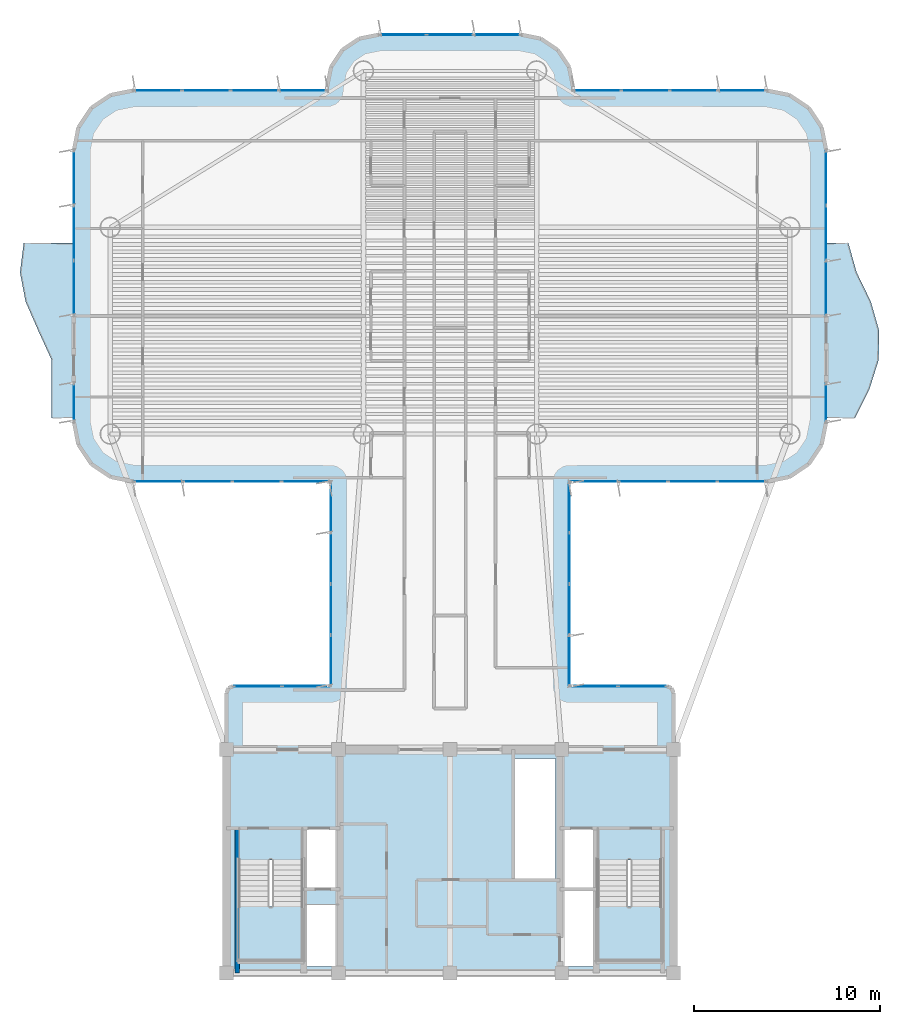
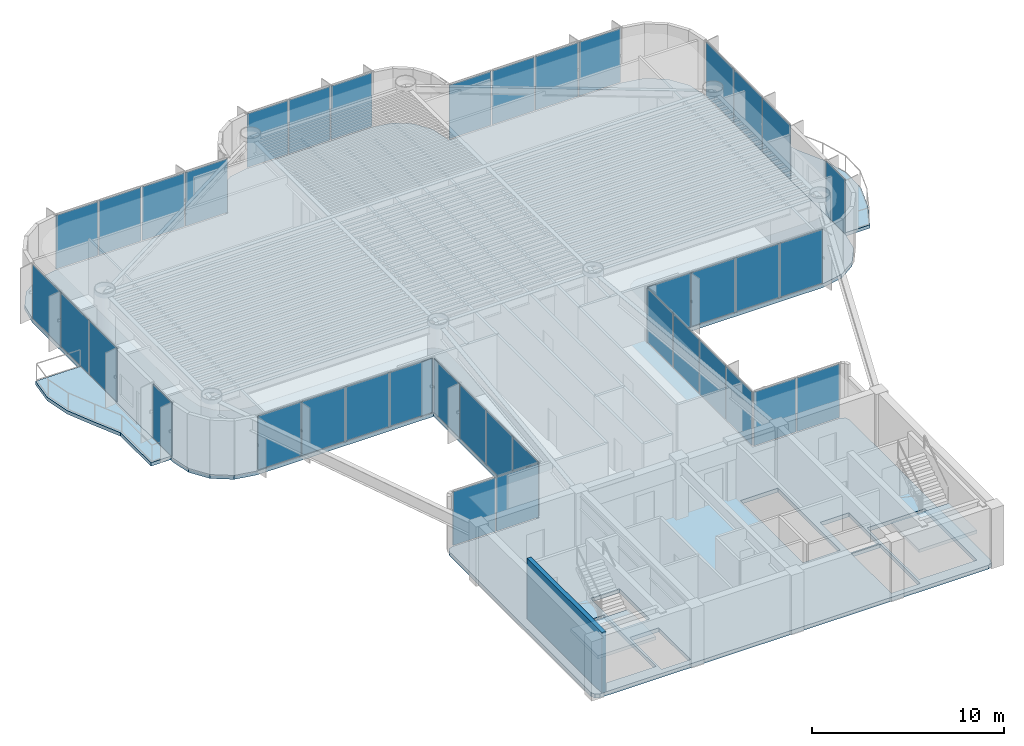
# One storey, part 8 of 15: 39 plates, 5 slabs, 1 wall, 15 elements without a shape of their own.
"""IFC4 building model written with IfcOpenShell, lengths in metres."""

from ifc_helpers import new_model, si_unit, direction, frame, frame_2d, origin, origin_2d, place, context, subcontext, project, spatial, polyline, rectangle, outline, extrude, source, transform, mapped, material, layer, layer_set, type_object, element, aggregate, save


model = new_model("IFC4")

# Units and contexts
model_context = context("Model", 3, precision=1e-05, world=origin(), true_north=direction((0.0, 1.0)))
body_context = subcontext(model_context, "Body", "Model", "MODEL_VIEW")
ifc_project = project(units=[si_unit("LENGTHUNIT", "METRE"), si_unit("AREAUNIT", "SQUARE_METRE"), si_unit("VOLUMEUNIT", "CUBIC_METRE"), si_unit("PLANEANGLEUNIT", "RADIAN"), si_unit("MASSUNIT", "GRAM", prefix="KILO")], contexts=[model_context])

# Site, building, storey
site_placement = place(None, origin())
site = spatial("IfcSite", under=ifc_project, at=site_placement, CompositionType="ELEMENT")
building_placement = place(site_placement, origin())
building = spatial("IfcBuilding", under=site, at=building_placement, Name="Brelvock Crest Care Tower", CompositionType="ELEMENT")
storey_placement = place(building_placement, frame((0.0, 0.0, 163.97998046875)))
storey = spatial("IfcBuildingStorey", under=building, at=storey_placement, Name="L41", CompositionType="ELEMENT", Elevation=163.97998046875)

# Slabs
ifc_material_1 = material(Name="Concrete N50 (50 MPa)", Category="concrete")
ifc_layer_1 = layer(ifc_material_1, 0.22998046875, Name="SLB-FL4")
ifc_layer_set_1 = layer_set([ifc_layer_1], Name="Concrete N50 (50 MPa)")
slab_type_1 = type_object("IfcSlabType", Name="SLB-FL4", PredefinedType="FLOOR", material=ifc_layer_set_1)
slab_1_placement = place(storey_placement, frame((0.0, 0.0, -0.25)))
element("IfcSlab", 1, at=slab_1_placement, inside=storey, type_object=slab_type_1, Name="L41 Main Structural Slab", PredefinedType="FLOOR", context=body_context, shape_type="SweptSolid", body=[
    extrude(outline(polyline([(47.64990234375, 21.39990234375), (42.39990234375, 21.39990234375), (42.39990234375, 32.39990234375), (53.0, 32.39990234375), (54.224609375, 32.6435546875), (55.2626953125, 33.33740234375), (55.956298828125, 34.37548828125), (56.199951171875, 35.60009765625), (56.199951171875, 50.199951171875), (55.956298828125, 51.424560546875), (55.2626953125, 52.462646484375), (54.224609375, 53.156494140625), (53.0, 53.39990234375), (42.60009765625, 53.39990234375), (42.60009765625, 53.60009765625), (42.386962890625, 54.67138671875), (41.77978515625, 55.579833984375), (40.87158203125, 56.18701171875), (39.800048828125, 56.39990234375), (32.199951171875, 56.39990234375), (31.12841796875, 56.18701171875), (30.22021484375, 55.579833984375), (29.613037109375, 54.67138671875), (29.39990234375, 53.60009765625), (29.39990234375, 53.39990234375), (19.0, 53.39990234375), (17.775390625, 53.156494140625), (16.7373046875, 52.462646484375), (16.043701171875, 51.424560546875), (15.800048828125, 50.199951171875), (15.800048828125, 35.60009765625), (16.043701171875, 34.37548828125), (16.7373046875, 33.33740234375), (17.775390625, 32.6435546875), (19.0, 32.39990234375), (29.60009765625, 32.39990234375), (29.60009765625, 21.39990234375), (24.35009765625, 21.39990234375), (24.1025390625, 21.297607421875), (24.0, 21.050048828125), (24.0, 6.35009765625), (24.1025390625, 6.1025390625), (24.35009765625, 6.0), (47.64990234375, 6.0), (47.8974609375, 6.1025390625), (48.0, 6.35009765625), (48.0, 21.050048828125), (47.8974609375, 21.297607421875), (47.64990234375, 21.39990234375)]), holes=[polyline([(28.239990234375, 10.580078125), (29.97998046875, 10.580078125), (29.97998046875, 13.739990234375), (28.239990234375, 13.739990234375), (28.239990234375, 10.580078125)]), polyline([(42.02001953125, 10.580078125), (43.760009765625, 10.580078125), (43.760009765625, 13.739990234375), (42.02001953125, 13.739990234375), (42.02001953125, 10.580078125)]), polyline([(28.239990234375, 6.340087890625), (29.97998046875, 6.340087890625), (29.97998046875, 9.64990234375), (28.239990234375, 9.64990234375), (28.239990234375, 6.340087890625)]), polyline([(24.6298828125, 12.080078125), (24.6298828125, 6.699951171875), (28.110107421875, 6.699951171875), (28.110107421875, 12.080078125), (24.6298828125, 12.080078125)]), polyline([(43.889892578125, 12.080078125), (43.889892578125, 6.699951171875), (47.3701171875, 6.699951171875), (47.3701171875, 12.080078125), (43.889892578125, 12.080078125)]), polyline([(42.02001953125, 6.340087890625), (43.760009765625, 6.340087890625), (43.760009765625, 10.5), (42.02001953125, 10.5), (42.02001953125, 6.340087890625)]), polyline([(39.429931640625, 11.030029296875), (41.669921875, 11.030029296875), (41.669921875, 17.52001953125), (39.429931640625, 17.52001953125), (39.429931640625, 11.030029296875)])]), origin(), (0.0, 0.0, 1.0), 0.25),
])
ifc_layer_2 = layer(ifc_material_1, 0.219970703125, Name="SLB-WB1")
ifc_layer_set_2 = layer_set([ifc_layer_2], Name="Concrete N50 (50 MPa)")
slab_type_2 = type_object("IfcSlabType", Name="SLB-WB1", PredefinedType="FLOOR", material=ifc_layer_set_2)
slab_2_placement = place(storey_placement, frame((0.0, 0.0, -0.219970703125)))
element("IfcSlab", 2, at=slab_2_placement, inside=storey, type_object=slab_type_2, Name="L41 W Sinusoidal Wave Balcony Slab", PredefinedType="FLOOR", context=body_context, shape_type="SweptSolid", body=[
    extrude(outline(polyline([(15.800048828125, 45.199951171875), (13.098876953125, 45.199951171875), (12.90283203125, 43.63330078125), (13.200927734375, 42.066650390625), (13.883544921875, 40.5), (14.60009765625, 38.933349609375), (14.60009765625, 37.36669921875), (14.60009765625, 35.800048828125), (15.800048828125, 35.800048828125), (15.800048828125, 45.199951171875)])), origin(), (0.0, 0.0, 1.0), 0.219970703125),
])
slab_3_placement = place(storey_placement, frame((0.0, 0.0, -0.219970703125)))
element("IfcSlab", 3, at=slab_3_placement, inside=storey, type_object=slab_type_2, Name="L41 E Sinusoidal Wave Balcony Slab", PredefinedType="FLOOR", context=body_context, shape_type="SweptSolid", body=[
    extrude(outline(polyline([(56.199951171875, 35.800048828125), (57.75, 35.800048828125), (58.529052734375, 37.36669921875), (59.022705078125, 38.933349609375), (59.04931640625, 40.5), (58.599609375, 42.066650390625), (57.83837890625, 43.63330078125), (57.39990234375, 45.199951171875), (56.199951171875, 45.199951171875), (56.199951171875, 35.800048828125)])), origin(), (0.0, 0.0, 1.0), 0.219970703125),
])

# Stair, slab
ifc_material_2 = material(Name="Concrete N40 (40 MPa)", Category="concrete")
stair_type = type_object("IfcStairType", Name="ST-CORE1", PredefinedType="HALF_TURN_STAIR", material=ifc_material_2)
stair_1_placement = place(storey_placement, origin())
stair_1 = element("IfcStair", 4, at=stair_1_placement, inside=storey, type_object=stair_type, Name="L41 Fire-Isolated Core Stair ST-1", PredefinedType="HALF_TURN_STAIR")
ifc_layer_3 = layer(ifc_material_2, 0.199951171875, Name="STL-1")
ifc_layer_set_3 = layer_set([ifc_layer_3], Name="Concrete N40 (40 MPa)")
slab_type_3 = type_object("IfcSlabType", Name="STL-1", PredefinedType="LANDING", material=ifc_layer_set_3)
slab_4_placement = place(storey_placement, frame((0.0, 0.0, 1.68994140625)))
slab_4 = element("IfcSlab", 5, at=slab_4_placement, type_object=slab_type_3, Name="ST-1 landing 1", PredefinedType="LANDING", context=body_context, shape_type="SweptSolid", body=[
    extrude(outline(polyline([(24.6298828125, 9.56005859375), (24.6298828125, 6.699951171875), (28.110107421875, 6.699951171875), (28.110107421875, 9.56005859375), (24.6298828125, 9.56005859375)])), origin(), (0.0, 0.0, 1.0), 0.2001953125),
])
aggregate(stair_1, [slab_4])

stair_2_placement = place(storey_placement, origin())
stair_2 = element("IfcStair", 6, at=stair_2_placement, inside=storey, type_object=stair_type, Name="L41 Fire-Isolated Core Stair ST-2", PredefinedType="HALF_TURN_STAIR")
slab_5_placement = place(storey_placement, frame((0.0, 0.0, 1.68994140625)))
slab_5 = element("IfcSlab", 7, at=slab_5_placement, type_object=slab_type_3, Name="ST-2 landing 1", PredefinedType="LANDING", context=body_context, shape_type="SweptSolid", body=[
    extrude(outline(polyline([(43.889892578125, 9.56005859375), (43.889892578125, 6.699951171875), (47.3701171875, 6.699951171875), (47.3701171875, 9.56005859375), (43.889892578125, 9.56005859375)])), origin(), (0.0, 0.0, 1.0), 0.2001953125),
])
aggregate(stair_2, [slab_5])

# Curtain wall, plates
ifc_material_3 = material(Name="Dark Glass Double Glazed Low-E", Category="glass")
ifc_layer_4 = layer(ifc_material_3, 0.22509765625, Name="CWS-4")
ifc_layer_set_4 = layer_set([ifc_layer_4], Name="Dark Glass Double Glazed Low-E")
curtain_wall_type = type_object("IfcCurtainWallType", Name="CWS-4", PredefinedType="NOTDEFINED", material=ifc_layer_set_4)
curtain_wall_1_placement = place(storey_placement, origin())
curtain_wall_1 = element("IfcCurtainWall", 8, at=curtain_wall_1_placement, inside=storey, type_object=curtain_wall_type, Name="L41 Curtain Wall E10", PredefinedType="NOTDEFINED")
ifc_layer_5 = layer(ifc_material_3, 0.0380859375, Name="CWP-V2")
ifc_layer_set_5 = layer_set([ifc_layer_5], Name="Dark Glass Double Glazed Low-E")
plate_type = type_object("IfcPlateType", Name="CWP-V2", PredefinedType="CURTAIN_PANEL", material=ifc_layer_set_5)
shared_shape_1 = source(origin(), body_context, "Body", "SweptSolid", [
    extrude(rectangle(XDim=2.534912109375, YDim=0.035888671875, at=origin_2d()), origin(), (0.0, 0.0, 1.0), 3.409912109375),
])
plate_1_placement = place(storey_placement, frame((25.677490234375, 21.39990234375, 0.06005859375), z_axis=(0.0, 0.0, 1.0), x_axis=(1.0, 0.0, 0.0)))
plate_1 = element("IfcPlate", 9, at=plate_1_placement, type_object=plate_type, Name="CW-4 panel 1.1", PredefinedType="CURTAIN_PANEL", context=body_context, shape_type="MappedRepresentation", body=[
    mapped(shared_shape_1, transform((0.0, 0.0, 0.0), x_axis=(1.0, 0.0, 0.0), y_axis=(0.0, 1.0, 0.0), z_axis=(0.0, 0.0, 1.0), scale=1.0)),
])
plate_2_placement = place(storey_placement, frame((28.2724609375, 21.39990234375, 0.06005859375), z_axis=(0.0, 0.0, 1.0), x_axis=(1.0, 0.0, 0.0)))
plate_2 = element("IfcPlate", 10, at=plate_2_placement, type_object=plate_type, Name="CW-4 panel 2.1", PredefinedType="CURTAIN_PANEL", context=body_context, shape_type="MappedRepresentation", body=[
    mapped(shared_shape_1, transform((0.0, 0.0, 0.0), x_axis=(1.0, 0.0, 0.0), y_axis=(0.0, 1.0, 0.0), z_axis=(0.0, 0.0, 1.0), scale=1.0)),
])
aggregate(curtain_wall_1, [plate_1, plate_2])

curtain_wall_2_placement = place(storey_placement, origin())
curtain_wall_2 = element("IfcCurtainWall", 11, at=curtain_wall_2_placement, inside=storey, type_object=curtain_wall_type, Name="L41 Curtain Wall E46", PredefinedType="NOTDEFINED")
plate_3_placement = place(storey_placement, frame((43.7275390625, 21.39990234375, 0.06005859375), z_axis=(0.0, 0.0, 1.0), x_axis=(1.0, 0.0, 0.0)))
plate_3 = element("IfcPlate", 12, at=plate_3_placement, type_object=plate_type, Name="CW-4 panel 1.1", PredefinedType="CURTAIN_PANEL", context=body_context, shape_type="MappedRepresentation", body=[
    mapped(shared_shape_1, transform((0.0, 0.0, 0.0), x_axis=(1.0, 0.0, 0.0), y_axis=(0.0, 1.0, 0.0), z_axis=(0.0, 0.0, 1.0), scale=1.0)),
])
plate_4_placement = place(storey_placement, frame((46.322509765625, 21.39990234375, 0.06005859375), z_axis=(0.0, 0.0, 1.0), x_axis=(1.0, 0.0, 0.0)))
plate_4 = element("IfcPlate", 13, at=plate_4_placement, type_object=plate_type, Name="CW-4 panel 2.1", PredefinedType="CURTAIN_PANEL", context=body_context, shape_type="MappedRepresentation", body=[
    mapped(shared_shape_1, transform((0.0, 0.0, 0.0), x_axis=(1.0, 0.0, 0.0), y_axis=(0.0, 1.0, 0.0), z_axis=(0.0, 0.0, 1.0), scale=1.0)),
])
aggregate(curtain_wall_2, [plate_3, plate_4])

curtain_wall_3_placement = place(storey_placement, origin())
curtain_wall_3 = element("IfcCurtainWall", 14, at=curtain_wall_3_placement, inside=storey, type_object=curtain_wall_type, Name="L41 Curtain Wall E11", PredefinedType="NOTDEFINED")
shared_shape_2 = source(origin(), body_context, "Body", "SweptSolid", [
    extrude(rectangle(XDim=2.659912109375, YDim=0.035888671875, at=origin_2d()), origin(), (0.0, 0.0, 1.0), 3.409912109375),
])
plate_5_placement = place(storey_placement, frame((29.60009765625, 22.7900390625, 0.06005859375), z_axis=(0.0, 0.0, 1.0), x_axis=(0.0, 1.0, 0.0)))
plate_5 = element("IfcPlate", 15, at=plate_5_placement, type_object=plate_type, Name="CW-4 panel 1.1", PredefinedType="CURTAIN_PANEL", context=body_context, shape_type="MappedRepresentation", body=[
    mapped(shared_shape_2, transform((0.0, 0.0, 0.0), x_axis=(1.0, 0.0, 0.0), y_axis=(0.0, 1.0, 0.0), z_axis=(0.0, 0.0, 1.0), scale=1.0)),
])
plate_6_placement = place(storey_placement, frame((29.60009765625, 31.010009765625, 0.06005859375), z_axis=(0.0, 0.0, 1.0), x_axis=(0.0, 1.0, 0.0)))
plate_6 = element("IfcPlate", 16, at=plate_6_placement, type_object=plate_type, Name="CW-4 panel 4.1", PredefinedType="CURTAIN_PANEL", context=body_context, shape_type="MappedRepresentation", body=[
    mapped(shared_shape_2, transform((0.0, 0.0, 0.0), x_axis=(1.0, 0.0, 0.0), y_axis=(0.0, 1.0, 0.0), z_axis=(0.0, 0.0, 1.0), scale=1.0)),
])

curtain_wall_4_placement = place(storey_placement, origin())
curtain_wall_4 = element("IfcCurtainWall", 17, at=curtain_wall_4_placement, inside=storey, type_object=curtain_wall_type, Name="L41 Curtain Wall E45", PredefinedType="NOTDEFINED")
plate_7_placement = place(storey_placement, frame((42.39990234375, 31.010009765625, 0.06005859375), z_axis=(0.0, 0.0, 1.0), x_axis=(0.0, -1.0, 0.0)))
plate_7 = element("IfcPlate", 18, at=plate_7_placement, type_object=plate_type, Name="CW-4 panel 1.1", PredefinedType="CURTAIN_PANEL", context=body_context, shape_type="MappedRepresentation", body=[
    mapped(shared_shape_2, transform((0.0, 0.0, 0.0), x_axis=(1.0, 0.0, 0.0), y_axis=(0.0, 1.0, 0.0), z_axis=(0.0, 0.0, 1.0), scale=1.0)),
])
plate_8_placement = place(storey_placement, frame((42.39990234375, 22.7900390625, 0.06005859375), z_axis=(0.0, 0.0, 1.0), x_axis=(0.0, -1.0, 0.0)))
plate_8 = element("IfcPlate", 19, at=plate_8_placement, type_object=plate_type, Name="CW-4 panel 4.1", PredefinedType="CURTAIN_PANEL", context=body_context, shape_type="MappedRepresentation", body=[
    mapped(shared_shape_2, transform((0.0, 0.0, 0.0), x_axis=(1.0, 0.0, 0.0), y_axis=(0.0, 1.0, 0.0), z_axis=(0.0, 0.0, 1.0), scale=1.0)),
])

# Plate
shared_shape_3 = source(origin(), body_context, "Body", "SweptSolid", [
    extrude(rectangle(XDim=2.68994140625, YDim=0.035888671875, at=origin_2d()), origin(), (0.0, 0.0, 1.0), 3.409912109375),
])
plate_9_placement = place(storey_placement, frame((29.60009765625, 25.52490234375, 0.06005859375), z_axis=(0.0, 0.0, 1.0), x_axis=(0.0, 1.0, 0.0)))
plate_9 = element("IfcPlate", 20, at=plate_9_placement, type_object=plate_type, Name="CW-4 panel 2.1", PredefinedType="CURTAIN_PANEL", context=body_context, shape_type="MappedRepresentation", body=[
    mapped(shared_shape_3, transform((0.0, 0.0, 0.0), x_axis=(1.0, 0.0, 0.0), y_axis=(0.0, 1.0, 0.0), z_axis=(0.0, 0.0, 1.0), scale=1.0)),
])

plate_10_placement = place(storey_placement, frame((29.60009765625, 28.27490234375, 0.06005859375), z_axis=(0.0, 0.0, 1.0), x_axis=(0.0, 1.0, 0.0)))
plate_10 = element("IfcPlate", 21, at=plate_10_placement, type_object=plate_type, Name="CW-4 panel 3.1", PredefinedType="CURTAIN_PANEL", context=body_context, shape_type="MappedRepresentation", body=[
    mapped(shared_shape_3, transform((0.0, 0.0, 0.0), x_axis=(1.0, 0.0, 0.0), y_axis=(0.0, 1.0, 0.0), z_axis=(0.0, 0.0, 1.0), scale=1.0)),
])

aggregate(curtain_wall_3, [plate_5, plate_9, plate_10, plate_6])

plate_11_placement = place(storey_placement, frame((42.39990234375, 28.27490234375, 0.06005859375), z_axis=(0.0, 0.0, 1.0), x_axis=(0.0, -1.0, 0.0)))
plate_11 = element("IfcPlate", 22, at=plate_11_placement, type_object=plate_type, Name="CW-4 panel 2.1", PredefinedType="CURTAIN_PANEL", context=body_context, shape_type="MappedRepresentation", body=[
    mapped(shared_shape_3, transform((0.0, 0.0, 0.0), x_axis=(1.0, 0.0, 0.0), y_axis=(0.0, 1.0, 0.0), z_axis=(0.0, 0.0, 1.0), scale=1.0)),
])

plate_12_placement = place(storey_placement, frame((42.39990234375, 25.52490234375, 0.06005859375), z_axis=(0.0, 0.0, 1.0), x_axis=(0.0, -1.0, 0.0)))
plate_12 = element("IfcPlate", 23, at=plate_12_placement, type_object=plate_type, Name="CW-4 panel 3.1", PredefinedType="CURTAIN_PANEL", context=body_context, shape_type="MappedRepresentation", body=[
    mapped(shared_shape_3, transform((0.0, 0.0, 0.0), x_axis=(1.0, 0.0, 0.0), y_axis=(0.0, 1.0, 0.0), z_axis=(0.0, 0.0, 1.0), scale=1.0)),
])

aggregate(curtain_wall_4, [plate_7, plate_11, plate_12, plate_8])

# Curtain wall, plates
curtain_wall_5_placement = place(storey_placement, origin())
curtain_wall_5 = element("IfcCurtainWall", 24, at=curtain_wall_5_placement, inside=storey, type_object=curtain_wall_type, Name="L41 Curtain Wall E12", PredefinedType="NOTDEFINED")
shared_shape_4 = source(origin(), body_context, "Body", "SweptSolid", [
    extrude(rectangle(XDim=2.56005859375, YDim=0.035888671875, at=origin_2d()), origin(), (0.0, 0.0, 1.0), 3.409912109375),
])
plate_13_placement = place(storey_placement, frame((28.260009765625, 32.39990234375, 0.06005859375), z_axis=(0.0, 0.0, 1.0), x_axis=(-1.0, 0.0, 0.0)))
plate_13 = element("IfcPlate", 25, at=plate_13_placement, type_object=plate_type, Name="CW-4 panel 1.1", PredefinedType="CURTAIN_PANEL", context=body_context, shape_type="MappedRepresentation", body=[
    mapped(shared_shape_4, transform((0.0, 0.0, 0.0), x_axis=(1.0, 0.0, 0.0), y_axis=(0.0, 1.0, 0.0), z_axis=(0.0, 0.0, 1.0), scale=1.0)),
])
plate_14_placement = place(storey_placement, frame((20.340087890625, 32.39990234375, 0.06005859375), z_axis=(0.0, 0.0, 1.0), x_axis=(-1.0, 0.0, 0.0)))
plate_14 = element("IfcPlate", 26, at=plate_14_placement, type_object=plate_type, Name="CW-4 panel 4.1", PredefinedType="CURTAIN_PANEL", context=body_context, shape_type="MappedRepresentation", body=[
    mapped(shared_shape_4, transform((0.0, 0.0, 0.0), x_axis=(1.0, 0.0, 0.0), y_axis=(0.0, 1.0, 0.0), z_axis=(0.0, 0.0, 1.0), scale=1.0)),
])

curtain_wall_6_placement = place(storey_placement, origin())
curtain_wall_6 = element("IfcCurtainWall", 27, at=curtain_wall_6_placement, inside=storey, type_object=curtain_wall_type, Name="L41 Curtain Wall E44", PredefinedType="NOTDEFINED")
plate_15_placement = place(storey_placement, frame((51.659912109375, 32.39990234375, 0.06005859375), z_axis=(0.0, 0.0, 1.0), x_axis=(-1.0, 0.0, 0.0)))
plate_15 = element("IfcPlate", 28, at=plate_15_placement, type_object=plate_type, Name="CW-4 panel 1.1", PredefinedType="CURTAIN_PANEL", context=body_context, shape_type="MappedRepresentation", body=[
    mapped(shared_shape_4, transform((0.0, 0.0, 0.0), x_axis=(1.0, 0.0, 0.0), y_axis=(0.0, 1.0, 0.0), z_axis=(0.0, 0.0, 1.0), scale=1.0)),
])
plate_16_placement = place(storey_placement, frame((43.739990234375, 32.39990234375, 0.06005859375), z_axis=(0.0, 0.0, 1.0), x_axis=(-1.0, 0.0, 0.0)))
plate_16 = element("IfcPlate", 29, at=plate_16_placement, type_object=plate_type, Name="CW-4 panel 4.1", PredefinedType="CURTAIN_PANEL", context=body_context, shape_type="MappedRepresentation", body=[
    mapped(shared_shape_4, transform((0.0, 0.0, 0.0), x_axis=(1.0, 0.0, 0.0), y_axis=(0.0, 1.0, 0.0), z_axis=(0.0, 0.0, 1.0), scale=1.0)),
])

# Plate
shared_shape_5 = source(origin(), body_context, "Body", "SweptSolid", [
    extrude(rectangle(XDim=2.590087890625, YDim=0.035888671875, at=origin_2d()), origin(), (0.0, 0.0, 1.0), 3.409912109375),
])
plate_17_placement = place(storey_placement, frame((25.625, 32.39990234375, 0.06005859375), z_axis=(0.0, 0.0, 1.0), x_axis=(-1.0, 0.0, 0.0)))
plate_17 = element("IfcPlate", 30, at=plate_17_placement, type_object=plate_type, Name="CW-4 panel 2.1", PredefinedType="CURTAIN_PANEL", context=body_context, shape_type="MappedRepresentation", body=[
    mapped(shared_shape_5, transform((0.0, 0.0, 0.0), x_axis=(1.0, 0.0, 0.0), y_axis=(0.0, 1.0, 0.0), z_axis=(0.0, 0.0, 1.0), scale=1.0)),
])

plate_18_placement = place(storey_placement, frame((22.97509765625, 32.39990234375, 0.06005859375), z_axis=(0.0, 0.0, 1.0), x_axis=(-1.0, 0.0, 0.0)))
plate_18 = element("IfcPlate", 31, at=plate_18_placement, type_object=plate_type, Name="CW-4 panel 3.1", PredefinedType="CURTAIN_PANEL", context=body_context, shape_type="MappedRepresentation", body=[
    mapped(shared_shape_5, transform((0.0, 0.0, 0.0), x_axis=(1.0, 0.0, 0.0), y_axis=(0.0, 1.0, 0.0), z_axis=(0.0, 0.0, 1.0), scale=1.0)),
])

aggregate(curtain_wall_5, [plate_13, plate_17, plate_18, plate_14])

plate_19_placement = place(storey_placement, frame((49.02490234375, 32.39990234375, 0.06005859375), z_axis=(0.0, 0.0, 1.0), x_axis=(-1.0, 0.0, 0.0)))
plate_19 = element("IfcPlate", 32, at=plate_19_placement, type_object=plate_type, Name="CW-4 panel 2.1", PredefinedType="CURTAIN_PANEL", context=body_context, shape_type="MappedRepresentation", body=[
    mapped(shared_shape_5, transform((0.0, 0.0, 0.0), x_axis=(1.0, 0.0, 0.0), y_axis=(0.0, 1.0, 0.0), z_axis=(0.0, 0.0, 1.0), scale=1.0)),
])

plate_20_placement = place(storey_placement, frame((46.375, 32.39990234375, 0.06005859375), z_axis=(0.0, 0.0, 1.0), x_axis=(-1.0, 0.0, 0.0)))
plate_20 = element("IfcPlate", 33, at=plate_20_placement, type_object=plate_type, Name="CW-4 panel 3.1", PredefinedType="CURTAIN_PANEL", context=body_context, shape_type="MappedRepresentation", body=[
    mapped(shared_shape_5, transform((0.0, 0.0, 0.0), x_axis=(1.0, 0.0, 0.0), y_axis=(0.0, 1.0, 0.0), z_axis=(0.0, 0.0, 1.0), scale=1.0)),
])

aggregate(curtain_wall_6, [plate_15, plate_19, plate_20, plate_16])

# Curtain wall, plate
curtain_wall_7_placement = place(storey_placement, origin())
curtain_wall_7 = element("IfcCurtainWall", 34, at=curtain_wall_7_placement, inside=storey, type_object=curtain_wall_type, Name="L41 Curtain Wall E17A", PredefinedType="NOTDEFINED")
shared_shape_6 = source(origin(), body_context, "Body", "SweptSolid", [
    extrude(rectangle(XDim=1.97998046875, YDim=0.035888671875, at=origin_2d()), origin(), (0.0, 0.0, 1.0), 3.409912109375),
])
plate_21_placement = place(storey_placement, frame((15.800048828125, 36.64990234375, 0.06005859375), z_axis=(0.0, 0.0, 1.0), x_axis=(0.0, 1.0, 0.0)))
plate_21 = element("IfcPlate", 35, at=plate_21_placement, type_object=plate_type, Name="CW-4 panel 1.1", PredefinedType="CURTAIN_PANEL", context=body_context, shape_type="MappedRepresentation", body=[
    mapped(shared_shape_6, transform((0.0, 0.0, 0.0), x_axis=(1.0, 0.0, 0.0), y_axis=(0.0, 1.0, 0.0), z_axis=(0.0, 0.0, 1.0), scale=1.0)),
])
aggregate(curtain_wall_7, [plate_21])

curtain_wall_8_placement = place(storey_placement, origin())
curtain_wall_8 = element("IfcCurtainWall", 36, at=curtain_wall_8_placement, inside=storey, type_object=curtain_wall_type, Name="L41 Curtain Wall E39B", PredefinedType="NOTDEFINED")
plate_22_placement = place(storey_placement, frame((56.199951171875, 36.64990234375, 0.06005859375), z_axis=(0.0, 0.0, 1.0), x_axis=(0.0, -1.0, 0.0)))
plate_22 = element("IfcPlate", 37, at=plate_22_placement, type_object=plate_type, Name="CW-4 panel 1.1", PredefinedType="CURTAIN_PANEL", context=body_context, shape_type="MappedRepresentation", body=[
    mapped(shared_shape_6, transform((0.0, 0.0, 0.0), x_axis=(1.0, 0.0, 0.0), y_axis=(0.0, 1.0, 0.0), z_axis=(0.0, 0.0, 1.0), scale=1.0)),
])
aggregate(curtain_wall_8, [plate_22])

# Curtain wall, plates
curtain_wall_9_placement = place(storey_placement, origin())
curtain_wall_9 = element("IfcCurtainWall", 38, at=curtain_wall_9_placement, inside=storey, type_object=curtain_wall_type, Name="L41 Curtain Wall E17B", PredefinedType="NOTDEFINED")
shared_shape_7 = source(origin(), body_context, "Body", "SweptSolid", [
    extrude(rectangle(XDim=2.876708984375, YDim=0.035888671875, at=origin_2d()), origin(), (0.0, 0.0, 1.0), 3.409912109375),
])
plate_23_placement = place(storey_placement, frame((15.800048828125, 42.79833984375, 0.06005859375), z_axis=(0.0, 0.0, 1.0), x_axis=(0.0, 1.0, 0.0)))
plate_23 = element("IfcPlate", 39, at=plate_23_placement, type_object=plate_type, Name="CW-4 panel 1.1", PredefinedType="CURTAIN_PANEL", context=body_context, shape_type="MappedRepresentation", body=[
    mapped(shared_shape_7, transform((0.0, 0.0, 0.0), x_axis=(1.0, 0.0, 0.0), y_axis=(0.0, 1.0, 0.0), z_axis=(0.0, 0.0, 1.0), scale=1.0)),
])
plate_24_placement = place(storey_placement, frame((15.800048828125, 48.70166015625, 0.06005859375), z_axis=(0.0, 0.0, 1.0), x_axis=(0.0, 1.0, 0.0)))
plate_24 = element("IfcPlate", 40, at=plate_24_placement, type_object=plate_type, Name="CW-4 panel 3.1", PredefinedType="CURTAIN_PANEL", context=body_context, shape_type="MappedRepresentation", body=[
    mapped(shared_shape_7, transform((0.0, 0.0, 0.0), x_axis=(1.0, 0.0, 0.0), y_axis=(0.0, 1.0, 0.0), z_axis=(0.0, 0.0, 1.0), scale=1.0)),
])

curtain_wall_10_placement = place(storey_placement, origin())
curtain_wall_10 = element("IfcCurtainWall", 41, at=curtain_wall_10_placement, inside=storey, type_object=curtain_wall_type, Name="L41 Curtain Wall E39A", PredefinedType="NOTDEFINED")
plate_25_placement = place(storey_placement, frame((56.199951171875, 48.70166015625, 0.06005859375), z_axis=(0.0, 0.0, 1.0), x_axis=(0.0, -1.0, 0.0)))
plate_25 = element("IfcPlate", 42, at=plate_25_placement, type_object=plate_type, Name="CW-4 panel 1.1", PredefinedType="CURTAIN_PANEL", context=body_context, shape_type="MappedRepresentation", body=[
    mapped(shared_shape_7, transform((0.0, 0.0, 0.0), x_axis=(1.0, 0.0, 0.0), y_axis=(0.0, 1.0, 0.0), z_axis=(0.0, 0.0, 1.0), scale=1.0)),
])
plate_26_placement = place(storey_placement, frame((56.199951171875, 42.79833984375, 0.06005859375), z_axis=(0.0, 0.0, 1.0), x_axis=(0.0, -1.0, 0.0)))
plate_26 = element("IfcPlate", 43, at=plate_26_placement, type_object=plate_type, Name="CW-4 panel 3.1", PredefinedType="CURTAIN_PANEL", context=body_context, shape_type="MappedRepresentation", body=[
    mapped(shared_shape_7, transform((0.0, 0.0, 0.0), x_axis=(1.0, 0.0, 0.0), y_axis=(0.0, 1.0, 0.0), z_axis=(0.0, 0.0, 1.0), scale=1.0)),
])

# Plate
shared_shape_8 = source(origin(), body_context, "Body", "SweptSolid", [
    extrude(rectangle(XDim=2.90673828125, YDim=0.035888671875, at=origin_2d()), origin(), (0.0, 0.0, 1.0), 3.409912109375),
])
plate_27_placement = place(storey_placement, frame((15.800048828125, 45.75, 0.06005859375), z_axis=(0.0, 0.0, 1.0), x_axis=(0.0, 1.0, 0.0)))
plate_27 = element("IfcPlate", 44, at=plate_27_placement, type_object=plate_type, Name="CW-4 panel 2.1", PredefinedType="CURTAIN_PANEL", context=body_context, shape_type="MappedRepresentation", body=[
    mapped(shared_shape_8, transform((0.0, 0.0, 0.0), x_axis=(1.0, 0.0, 0.0), y_axis=(0.0, 1.0, 0.0), z_axis=(0.0, 0.0, 1.0), scale=1.0)),
])

aggregate(curtain_wall_9, [plate_23, plate_27, plate_24])

plate_28_placement = place(storey_placement, frame((56.199951171875, 45.75, 0.06005859375), z_axis=(0.0, 0.0, 1.0), x_axis=(0.0, -1.0, 0.0)))
plate_28 = element("IfcPlate", 45, at=plate_28_placement, type_object=plate_type, Name="CW-4 panel 2.1", PredefinedType="CURTAIN_PANEL", context=body_context, shape_type="MappedRepresentation", body=[
    mapped(shared_shape_8, transform((0.0, 0.0, 0.0), x_axis=(1.0, 0.0, 0.0), y_axis=(0.0, 1.0, 0.0), z_axis=(0.0, 0.0, 1.0), scale=1.0)),
])

aggregate(curtain_wall_10, [plate_25, plate_28, plate_26])

# Curtain wall, plates
curtain_wall_11_placement = place(storey_placement, origin())
curtain_wall_11 = element("IfcCurtainWall", 46, at=curtain_wall_11_placement, inside=storey, type_object=curtain_wall_type, Name="L41 Curtain Wall E22", PredefinedType="NOTDEFINED")
shared_shape_9 = source(origin(), body_context, "Body", "SweptSolid", [
    extrude(rectangle(XDim=2.510009765625, YDim=0.035888671875, at=origin_2d()), origin(), (0.0, 0.0, 1.0), 3.409912109375),
])
plate_29_placement = place(storey_placement, frame((20.31494140625, 53.39990234375, 0.06005859375), z_axis=(0.0, 0.0, 1.0), x_axis=(1.0, 0.0, 0.0)))
plate_29 = element("IfcPlate", 47, at=plate_29_placement, type_object=plate_type, Name="CW-4 panel 1.1", PredefinedType="CURTAIN_PANEL", context=body_context, shape_type="MappedRepresentation", body=[
    mapped(shared_shape_9, transform((0.0, 0.0, 0.0), x_axis=(1.0, 0.0, 0.0), y_axis=(0.0, 1.0, 0.0), z_axis=(0.0, 0.0, 1.0), scale=1.0)),
])
plate_30_placement = place(storey_placement, frame((28.0849609375, 53.39990234375, 0.06005859375), z_axis=(0.0, 0.0, 1.0), x_axis=(1.0, 0.0, 0.0)))
plate_30 = element("IfcPlate", 48, at=plate_30_placement, type_object=plate_type, Name="CW-4 panel 4.1", PredefinedType="CURTAIN_PANEL", context=body_context, shape_type="MappedRepresentation", body=[
    mapped(shared_shape_9, transform((0.0, 0.0, 0.0), x_axis=(1.0, 0.0, 0.0), y_axis=(0.0, 1.0, 0.0), z_axis=(0.0, 0.0, 1.0), scale=1.0)),
])

curtain_wall_12_placement = place(storey_placement, origin())
curtain_wall_12 = element("IfcCurtainWall", 49, at=curtain_wall_12_placement, inside=storey, type_object=curtain_wall_type, Name="L41 Curtain Wall E34", PredefinedType="NOTDEFINED")
plate_31_placement = place(storey_placement, frame((43.9150390625, 53.39990234375, 0.06005859375), z_axis=(0.0, 0.0, 1.0), x_axis=(1.0, 0.0, 0.0)))
plate_31 = element("IfcPlate", 50, at=plate_31_placement, type_object=plate_type, Name="CW-4 panel 1.1", PredefinedType="CURTAIN_PANEL", context=body_context, shape_type="MappedRepresentation", body=[
    mapped(shared_shape_9, transform((0.0, 0.0, 0.0), x_axis=(1.0, 0.0, 0.0), y_axis=(0.0, 1.0, 0.0), z_axis=(0.0, 0.0, 1.0), scale=1.0)),
])
plate_32_placement = place(storey_placement, frame((51.68505859375, 53.39990234375, 0.06005859375), z_axis=(0.0, 0.0, 1.0), x_axis=(1.0, 0.0, 0.0)))
plate_32 = element("IfcPlate", 51, at=plate_32_placement, type_object=plate_type, Name="CW-4 panel 4.1", PredefinedType="CURTAIN_PANEL", context=body_context, shape_type="MappedRepresentation", body=[
    mapped(shared_shape_9, transform((0.0, 0.0, 0.0), x_axis=(1.0, 0.0, 0.0), y_axis=(0.0, 1.0, 0.0), z_axis=(0.0, 0.0, 1.0), scale=1.0)),
])

# Plate
shared_shape_10 = source(origin(), body_context, "Body", "SweptSolid", [
    extrude(rectangle(XDim=2.5400390625, YDim=0.035888671875, at=origin_2d()), origin(), (0.0, 0.0, 1.0), 3.409912109375),
])
plate_33_placement = place(storey_placement, frame((22.89990234375, 53.39990234375, 0.06005859375), z_axis=(0.0, 0.0, 1.0), x_axis=(1.0, 0.0, 0.0)))
plate_33 = element("IfcPlate", 52, at=plate_33_placement, type_object=plate_type, Name="CW-4 panel 2.1", PredefinedType="CURTAIN_PANEL", context=body_context, shape_type="MappedRepresentation", body=[
    mapped(shared_shape_10, transform((0.0, 0.0, 0.0), x_axis=(1.0, 0.0, 0.0), y_axis=(0.0, 1.0, 0.0), z_axis=(0.0, 0.0, 1.0), scale=1.0)),
])

plate_34_placement = place(storey_placement, frame((25.5, 53.39990234375, 0.06005859375), z_axis=(0.0, 0.0, 1.0), x_axis=(1.0, 0.0, 0.0)))
plate_34 = element("IfcPlate", 53, at=plate_34_placement, type_object=plate_type, Name="CW-4 panel 3.1", PredefinedType="CURTAIN_PANEL", context=body_context, shape_type="MappedRepresentation", body=[
    mapped(shared_shape_10, transform((0.0, 0.0, 0.0), x_axis=(1.0, 0.0, 0.0), y_axis=(0.0, 1.0, 0.0), z_axis=(0.0, 0.0, 1.0), scale=1.0)),
])

aggregate(curtain_wall_11, [plate_29, plate_33, plate_34, plate_30])

plate_35_placement = place(storey_placement, frame((46.5, 53.39990234375, 0.06005859375), z_axis=(0.0, 0.0, 1.0), x_axis=(1.0, 0.0, 0.0)))
plate_35 = element("IfcPlate", 54, at=plate_35_placement, type_object=plate_type, Name="CW-4 panel 2.1", PredefinedType="CURTAIN_PANEL", context=body_context, shape_type="MappedRepresentation", body=[
    mapped(shared_shape_10, transform((0.0, 0.0, 0.0), x_axis=(1.0, 0.0, 0.0), y_axis=(0.0, 1.0, 0.0), z_axis=(0.0, 0.0, 1.0), scale=1.0)),
])

plate_36_placement = place(storey_placement, frame((49.10009765625, 53.39990234375, 0.06005859375), z_axis=(0.0, 0.0, 1.0), x_axis=(1.0, 0.0, 0.0)))
plate_36 = element("IfcPlate", 55, at=plate_36_placement, type_object=plate_type, Name="CW-4 panel 3.1", PredefinedType="CURTAIN_PANEL", context=body_context, shape_type="MappedRepresentation", body=[
    mapped(shared_shape_10, transform((0.0, 0.0, 0.0), x_axis=(1.0, 0.0, 0.0), y_axis=(0.0, 1.0, 0.0), z_axis=(0.0, 0.0, 1.0), scale=1.0)),
])

aggregate(curtain_wall_12, [plate_31, plate_35, plate_36, plate_32])

# Curtain wall, plates
curtain_wall_13_placement = place(storey_placement, origin())
curtain_wall_13 = element("IfcCurtainWall", 56, at=curtain_wall_13_placement, inside=storey, type_object=curtain_wall_type, Name="L41 Curtain Wall E28", PredefinedType="NOTDEFINED")
shared_shape_11 = source(origin(), body_context, "Body", "SweptSolid", [
    extrude(rectangle(XDim=2.443359375, YDim=0.035888671875, at=origin_2d()), origin(), (0.0, 0.0, 1.0), 3.409912109375),
])
plate_37_placement = place(storey_placement, frame((33.481689453125, 56.39990234375, 0.06005859375), z_axis=(0.0, 0.0, 1.0), x_axis=(1.0, 0.0, 0.0)))
plate_37 = element("IfcPlate", 57, at=plate_37_placement, type_object=plate_type, Name="CW-4 panel 1.1", PredefinedType="CURTAIN_PANEL", context=body_context, shape_type="MappedRepresentation", body=[
    mapped(shared_shape_11, transform((0.0, 0.0, 0.0), x_axis=(1.0, 0.0, 0.0), y_axis=(0.0, 1.0, 0.0), z_axis=(0.0, 0.0, 1.0), scale=1.0)),
])
plate_38_placement = place(storey_placement, frame((38.518310546875, 56.39990234375, 0.06005859375), z_axis=(0.0, 0.0, 1.0), x_axis=(1.0, 0.0, 0.0)))
plate_38 = element("IfcPlate", 58, at=plate_38_placement, type_object=plate_type, Name="CW-4 panel 3.1", PredefinedType="CURTAIN_PANEL", context=body_context, shape_type="MappedRepresentation", body=[
    mapped(shared_shape_11, transform((0.0, 0.0, 0.0), x_axis=(1.0, 0.0, 0.0), y_axis=(0.0, 1.0, 0.0), z_axis=(0.0, 0.0, 1.0), scale=1.0)),
])
shared_shape_12 = source(origin(), body_context, "Body", "SweptSolid", [
    extrude(rectangle(XDim=2.473388671875, YDim=0.035888671875, at=origin_2d()), origin(), (0.0, 0.0, 1.0), 3.409912109375),
])
plate_39_placement = place(storey_placement, frame((36.0, 56.39990234375, 0.06005859375), z_axis=(0.0, 0.0, 1.0), x_axis=(1.0, 0.0, 0.0)))
plate_39 = element("IfcPlate", 59, at=plate_39_placement, type_object=plate_type, Name="CW-4 panel 2.1", PredefinedType="CURTAIN_PANEL", context=body_context, shape_type="MappedRepresentation", body=[
    mapped(shared_shape_12, transform((0.0, 0.0, 0.0), x_axis=(1.0, 0.0, 0.0), y_axis=(0.0, 1.0, 0.0), z_axis=(0.0, 0.0, 1.0), scale=1.0)),
])
aggregate(curtain_wall_13, [plate_37, plate_39, plate_38])

# Wall
ifc_material_4 = material(Name="Concrete S80 (80 MPa)", Category="concrete")
ifc_layer_6 = layer(ifc_material_4, 0.25, Name="WL-CS6")
ifc_layer_set_6 = layer_set([ifc_layer_6], Name="Concrete S80 (80 MPa)")
wall_type = type_object("IfcWallType", Name="WL-CS6", PredefinedType="SHEAR", material=ifc_layer_set_6)
wall_placement = place(storey_placement, frame((24.580078125, 6.0, 0.0), z_axis=(0.0, 0.0, 1.0), x_axis=(0.0, 1.0, 0.0)))
element("IfcWall", 60, at=wall_placement, inside=storey, type_object=wall_type, Name="L41 Core Stair ST-1 West Shear Wall", PredefinedType="SHEAR", context=body_context, shape_type="SweptSolid", body=[
    extrude(rectangle(XDim=7.780029296875, YDim=0.25, at=frame_2d((3.89013671875, 0.0))), origin(), (0.0, 0.0, 1.0), 3.85009765625),
])

save(model, "model.ifc")
